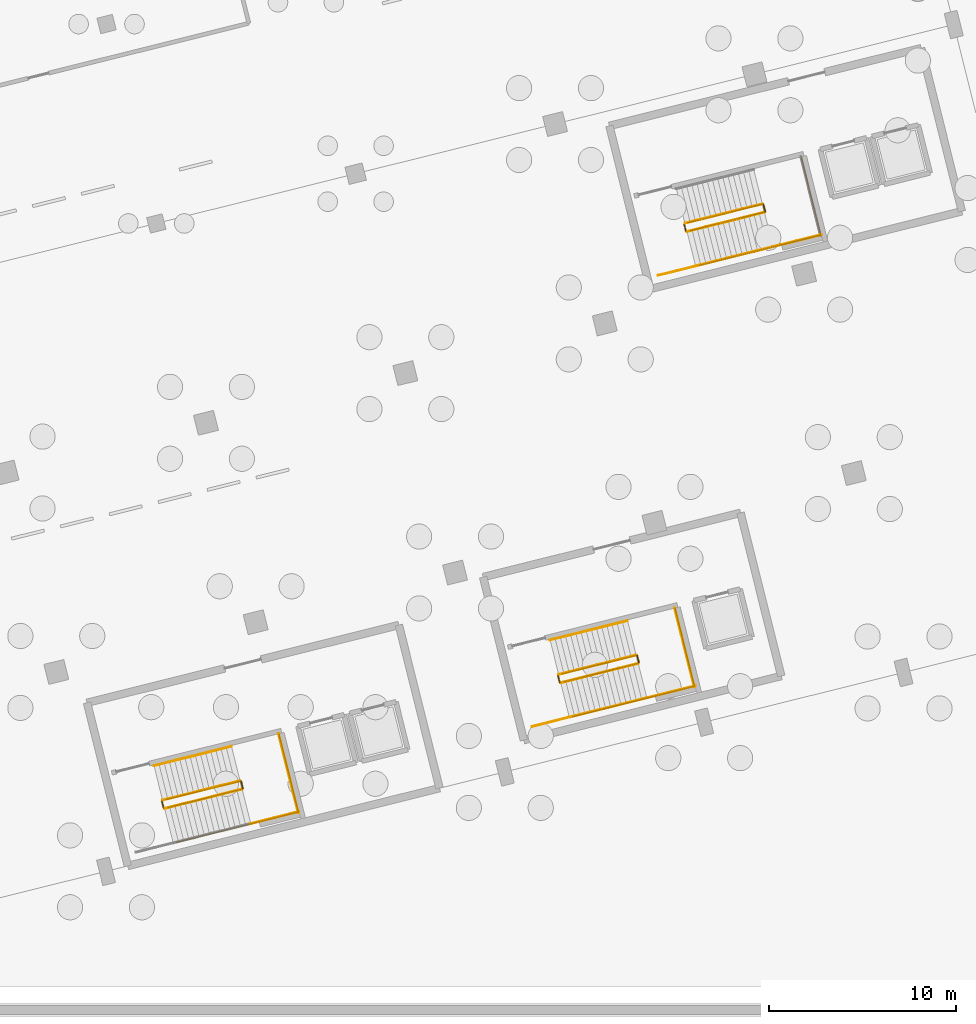
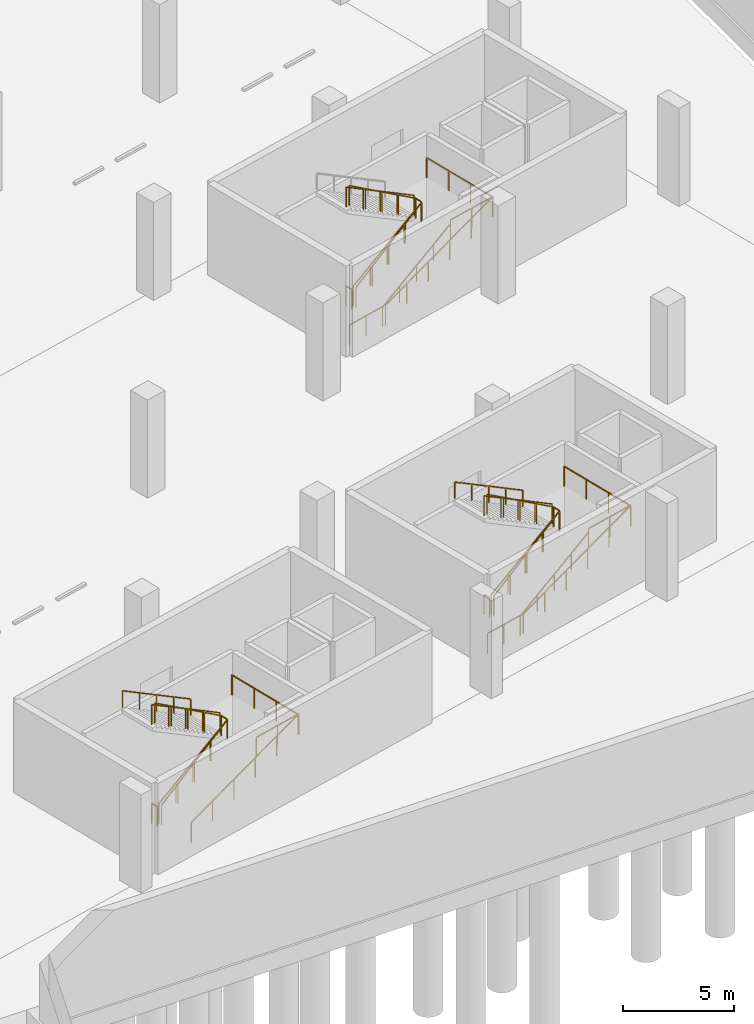
# One storey, part 63 of 65: 29 railings.
"""IFC4 building model written with IfcOpenShell, lengths in metres."""

from ifc_helpers import new_model, si_unit, direction, frame, origin, origin_2d, place, context, subcontext, project, spatial, rectangle, extrude, material, type_object, element, save


model = new_model("IFC4")

# Units and contexts
model_context = context("Model", 3, precision=1e-05, world=origin(), true_north=direction((0.0, 1.0)))
body_context = subcontext(model_context, "Body", "Model", "MODEL_VIEW")
ifc_project = project(units=[si_unit("LENGTHUNIT", "METRE"), si_unit("AREAUNIT", "SQUARE_METRE"), si_unit("VOLUMEUNIT", "CUBIC_METRE"), si_unit("PLANEANGLEUNIT", "RADIAN"), si_unit("MASSUNIT", "GRAM", prefix="KILO")], contexts=[model_context])

# Site, building, storey
site_placement = place(None, origin())
site = spatial("IfcSite", under=ifc_project, at=site_placement, CompositionType="ELEMENT")
building_placement = place(site_placement, origin())
building = spatial("IfcBuilding", under=site, at=building_placement, Name="Khorjan Park Terminus", CompositionType="ELEMENT")
storey_placement = place(building_placement, frame((0.0, 0.0, -5.4)))
storey = spatial("IfcBuildingStorey", under=building, at=storey_placement, Name="B1", CompositionType="ELEMENT", Elevation=-5.4)

# Railings
ifc_material = material(Name="Steel S355", Category="steel")
railing_type_1 = type_object("IfcRailingType", Name="GR-112", PredefinedType="GUARDRAIL", material=ifc_material)
railing_1_placement = place(storey_placement, frame((179.8138, 8.0206, 0.1687)))
element("IfcRailing", 1, at=railing_1_placement, inside=storey, type_object=railing_type_1, Name="B1 ST-03 stair guard 1", PredefinedType="GUARDRAIL", context=body_context, shape_type="SweptSolid", body=[
    extrude(rectangle(XDim=0.048, YDim=0.048, at=origin_2d()), frame((0.0, 0.0, 1.096), z_axis=(0.834907508819, 0.208183422462, 0.509498885505), x_axis=(-0.241941153167, 0.970290924622, 0.0)), (0.0, 0.0, 1.0), 4.9682),
    extrude(rectangle(XDim=0.042, YDim=0.042, at=origin_2d()), origin(), (0.0, 0.0, 1.0), 1.072),
    extrude(rectangle(XDim=0.042, YDim=0.042, at=origin_2d()), frame((1.037, 0.2586, 0.6328)), (0.0, 0.0, 1.0), 1.072),
    extrude(rectangle(XDim=0.042, YDim=0.042, at=origin_2d()), frame((2.074, 0.5171, 1.2656)), (0.0, 0.0, 1.0), 1.072),
    extrude(rectangle(XDim=0.042, YDim=0.042, at=origin_2d()), frame((3.111, 0.7757, 1.8985)), (0.0, 0.0, 1.0), 1.072),
    extrude(rectangle(XDim=0.042, YDim=0.042, at=origin_2d()), frame((4.148, 1.0343, 2.5313)), (0.0, 0.0, 1.0), 1.072),
])
railing_2_placement = place(storey_placement, frame((183.9982, 9.1155, 2.7)))
element("IfcRailing", 2, at=railing_2_placement, inside=storey, type_object=railing_type_1, Name="B1 ST-03 stair guard 2", PredefinedType="GUARDRAIL", context=body_context, shape_type="SweptSolid", body=[
    extrude(rectangle(XDim=0.048, YDim=0.048, at=origin_2d()), frame((0.0, 0.0, 1.096), z_axis=(-0.241947338122, 0.970289382388, 0.0), x_axis=(-0.970289382388, -0.241947338122, 0.0)), (0.0, 0.0, 1.0), 0.36),
    extrude(rectangle(XDim=0.042, YDim=0.042, at=origin_2d()), origin(), (0.0, 0.0, 1.0), 1.072),
    extrude(rectangle(XDim=0.042, YDim=0.042, at=origin_2d()), frame((-0.0871, 0.3493, 0.0)), (0.0, 0.0, 1.0), 1.072),
])
railing_3_placement = place(storey_placement, frame((184.4214, 7.2113, 2.7)))
element("IfcRailing", 3, at=railing_3_placement, inside=storey, type_object=railing_type_1, Name="B1 ST-03 stair guard 3", PredefinedType="GUARDRAIL", context=body_context, shape_type="SweptSolid", body=[
    extrude(rectangle(XDim=0.048, YDim=0.048, at=origin_2d()), frame((0.0, 0.0, 1.096), z_axis=(0.970299010002, 0.241908724911, 0.0), x_axis=(-0.241908724911, 0.970299010002, 0.0)), (0.0, 0.0, 1.0), 2.6651),
    extrude(rectangle(XDim=0.042, YDim=0.042, at=origin_2d()), origin(), (0.0, 0.0, 1.0), 1.072),
    extrude(rectangle(XDim=0.042, YDim=0.042, at=origin_2d()), frame((1.2929, 0.3224, 0.0)), (0.0, 0.0, 1.0), 1.072),
    extrude(rectangle(XDim=0.042, YDim=0.042, at=origin_2d()), frame((2.5859, 0.6447, 0.0)), (0.0, 0.0, 1.0), 1.072),
])
railing_4_placement = place(storey_placement, frame((186.9708, 7.7954, 2.7)))
element("IfcRailing", 4, at=railing_4_placement, inside=storey, type_object=railing_type_1, Name="B1 ST-03 stair guard 4", PredefinedType="GUARDRAIL", context=body_context, shape_type="SweptSolid", body=[
    extrude(rectangle(XDim=0.048, YDim=0.048, at=origin_2d()), frame((0.0, 0.0, 1.096), z_axis=(-0.241904163851, 0.970300147125, 0.0), x_axis=(-0.970300147125, -0.241904163851, 0.0)), (0.0, 0.0, 1.0), 4.36),
    extrude(rectangle(XDim=0.042, YDim=0.042, at=origin_2d()), origin(), (0.0, 0.0, 1.0), 1.072),
    extrude(rectangle(XDim=0.042, YDim=0.042, at=origin_2d()), frame((-0.3516, 1.4102, 0.0)), (0.0, 0.0, 1.0), 1.072),
    extrude(rectangle(XDim=0.042, YDim=0.042, at=origin_2d()), frame((-0.7031, 2.8203, 0.0)), (0.0, 0.0, 1.0), 1.072),
    extrude(rectangle(XDim=0.042, YDim=0.042, at=origin_2d()), frame((-1.0547, 4.2305, 0.0)), (0.0, 0.0, 1.0), 1.072),
])
railing_5_placement = place(storey_placement, frame((183.8505, 9.5012, 2.8688)))
element("IfcRailing", 5, at=railing_5_placement, inside=storey, type_object=railing_type_1, Name="B1 ST-03 stair guard 5", PredefinedType="GUARDRAIL", context=body_context, shape_type="SweptSolid", body=[
    extrude(rectangle(XDim=0.048, YDim=0.048, at=origin_2d()), frame((0.0, 0.0, 1.096), z_axis=(-0.834919569378, -0.208166301507, 0.509486117167), x_axis=(0.241919130453, -0.9702964157, 0.0)), (0.0, 0.0, 1.0), 4.9681),
    extrude(rectangle(XDim=0.042, YDim=0.042, at=origin_2d()), origin(), (0.0, 0.0, 1.0), 1.072),
    extrude(rectangle(XDim=0.042, YDim=0.042, at=origin_2d()), frame((-1.037, -0.2586, 0.6328)), (0.0, 0.0, 1.0), 1.072),
    extrude(rectangle(XDim=0.042, YDim=0.042, at=origin_2d()), frame((-2.074, -0.5171, 1.2656)), (0.0, 0.0, 1.0), 1.072),
    extrude(rectangle(XDim=0.042, YDim=0.042, at=origin_2d()), frame((-3.111, -0.7757, 1.8984)), (0.0, 0.0, 1.0), 1.072),
    extrude(rectangle(XDim=0.042, YDim=0.042, at=origin_2d()), frame((-4.148, -1.0342, 2.5312)), (0.0, 0.0, 1.0), 1.072),
])
railing_6_placement = place(storey_placement, frame((179.7532, 8.0571, 0.0)))
element("IfcRailing", 6, at=railing_6_placement, inside=storey, type_object=railing_type_1, Name="B1 ST-03 stair guard 6", PredefinedType="GUARDRAIL", context=body_context, shape_type="SweptSolid", body=[
    extrude(rectangle(XDim=0.048, YDim=0.048, at=origin_2d()), frame((0.0, 0.0, 1.096), z_axis=(-0.241947338122, 0.970289382388, 0.0), x_axis=(-0.970289382388, -0.241947338122, 0.0)), (0.0, 0.0, 1.0), 0.36),
    extrude(rectangle(XDim=0.042, YDim=0.042, at=origin_2d()), origin(), (0.0, 0.0, 1.0), 1.072),
    extrude(rectangle(XDim=0.042, YDim=0.042, at=origin_2d()), frame((-0.0871, 0.3493, 0.0)), (0.0, 0.0, 1.0), 1.072),
])
railing_7_placement = place(storey_placement, frame((179.986, 8.0739, 0.0)))
element("IfcRailing", 7, at=railing_7_placement, inside=storey, type_object=railing_type_1, Name="Core K3 stair well slot guard GR-112 (B1)", PredefinedType="GUARDRAIL", context=body_context, shape_type="SweptSolid", body=[
    extrude(rectangle(XDim=0.048, YDim=0.048, at=origin_2d()), frame((0.0, 0.0, 1.096), z_axis=(0.812440142396, 0.202553181406, 0.546729570926), x_axis=(-0.241909643258, 0.970298781046, 0.0)), (0.0, 0.0, 1.0), 4.9385),
    extrude(rectangle(XDim=0.048, YDim=0.048, at=origin_2d()), frame((4.0122, 1.0003, 3.796), z_axis=(-0.242000927221, 0.970276018061, 0.0), x_axis=(-0.970276018061, -0.242000927221, 0.0)), (0.0, 0.0, 1.0), 0.4401),
    extrude(rectangle(XDim=0.048, YDim=0.048, at=origin_2d()), frame((3.9057, 1.4273, 3.796), z_axis=(-0.812436809987, -0.202572599749, 0.54672732839), x_axis=(0.24193241153, -0.9702931043, 0.0)), (0.0, 0.0, 1.0), 4.9385),
    extrude(rectangle(XDim=0.042, YDim=0.042, at=origin_2d()), origin(), (0.0, 0.0, 1.0), 1.072),
    extrude(rectangle(XDim=0.042, YDim=0.042, at=origin_2d()), frame((1.0031, 0.2501, 0.675)), (0.0, 0.0, 1.0), 1.072),
    extrude(rectangle(XDim=0.042, YDim=0.042, at=origin_2d()), frame((2.0061, 0.5001, 1.35)), (0.0, 0.0, 1.0), 1.072),
    extrude(rectangle(XDim=0.042, YDim=0.042, at=origin_2d()), frame((3.0092, 0.7502, 2.025)), (0.0, 0.0, 1.0), 1.072),
    extrude(rectangle(XDim=0.042, YDim=0.042, at=origin_2d()), frame((4.0122, 1.0003, 2.7)), (0.0, 0.0, 1.0), 1.072),
    extrude(rectangle(XDim=0.042, YDim=0.042, at=origin_2d()), frame((3.9057, 1.4273, 2.7)), (0.0, 0.0, 1.0), 1.072),
    extrude(rectangle(XDim=0.042, YDim=0.042, at=origin_2d()), frame((2.9027, 1.1772, 3.375)), (0.0, 0.0, 1.0), 1.072),
    extrude(rectangle(XDim=0.042, YDim=0.042, at=origin_2d()), frame((1.8996, 0.9271, 4.05)), (0.0, 0.0, 1.0), 1.072),
    extrude(rectangle(XDim=0.042, YDim=0.042, at=origin_2d()), frame((0.8966, 0.677, 4.725)), (0.0, 0.0, 1.0), 1.072),
    extrude(rectangle(XDim=0.042, YDim=0.042, at=origin_2d()), frame((-0.1065, 0.4269, 5.4)), (0.0, 0.0, 1.0), 1.072),
])
railing_8_placement = place(storey_placement, frame((180.4505, 6.2109, 0.0)))
element("IfcRailing", 8, at=railing_8_placement, inside=storey, type_object=railing_type_1, Name="Core K3 stair side & landing guard GR-112 (B1)", PredefinedType="GUARDRAIL", context=body_context, shape_type="SweptSolid", body=[
    extrude(rectangle(XDim=0.048, YDim=0.048, at=origin_2d()), frame((0.0, 0.0, 1.096), z_axis=(0.900342256578, 0.224478008484, 0.372818246237), x_axis=(-0.241919330403, 0.970296365848, 0.0)), (0.0, 0.0, 1.0), 7.2421),
    extrude(rectangle(XDim=0.048, YDim=0.048, at=origin_2d()), frame((6.5204, 1.6257, 3.796), z_axis=(-0.2419363556, 0.970292120879, 0.0), x_axis=(-0.970292120879, -0.2419363556, 0.0)), (0.0, 0.0, 1.0), 4.2801),
    extrude(rectangle(XDim=0.042, YDim=0.042, at=origin_2d()), origin(), (0.0, 0.0, 1.0), 1.072),
    extrude(rectangle(XDim=0.042, YDim=0.042, at=origin_2d()), frame((1.3041, 0.3251, 0.54)), (0.0, 0.0, 1.0), 1.072),
    extrude(rectangle(XDim=0.042, YDim=0.042, at=origin_2d()), frame((2.6082, 0.6503, 1.08)), (0.0, 0.0, 1.0), 1.072),
    extrude(rectangle(XDim=0.042, YDim=0.042, at=origin_2d()), frame((3.9122, 0.9754, 1.62)), (0.0, 0.0, 1.0), 1.072),
    extrude(rectangle(XDim=0.042, YDim=0.042, at=origin_2d()), frame((5.2163, 1.3006, 2.16)), (0.0, 0.0, 1.0), 1.072),
    extrude(rectangle(XDim=0.042, YDim=0.042, at=origin_2d()), frame((6.5204, 1.6257, 2.7)), (0.0, 0.0, 1.0), 1.072),
    extrude(rectangle(XDim=0.042, YDim=0.042, at=origin_2d()), frame((6.1752, 3.01, 2.7)), (0.0, 0.0, 1.0), 1.072),
    extrude(rectangle(XDim=0.042, YDim=0.042, at=origin_2d()), frame((5.8301, 4.3943, 2.7)), (0.0, 0.0, 1.0), 1.072),
    extrude(rectangle(XDim=0.042, YDim=0.042, at=origin_2d()), frame((5.4849, 5.7786, 2.7)), (0.0, 0.0, 1.0), 1.072),
])
railing_9_placement = place(storey_placement, frame((207.7735, 38.902, 0.1687)))
element("IfcRailing", 9, at=railing_9_placement, inside=storey, type_object=railing_type_1, Name="B1 ST-04 stair guard 1", PredefinedType="GUARDRAIL", context=body_context, shape_type="SweptSolid", body=[
    extrude(rectangle(XDim=0.048, YDim=0.048, at=origin_2d()), frame((0.0, 0.0, 1.096), z_axis=(0.834907508819, 0.208183422462, 0.509498885505), x_axis=(-0.241941153167, 0.970290924622, 0.0)), (0.0, 0.0, 1.0), 4.9682),
    extrude(rectangle(XDim=0.042, YDim=0.042, at=origin_2d()), origin(), (0.0, 0.0, 1.0), 1.072),
    extrude(rectangle(XDim=0.042, YDim=0.042, at=origin_2d()), frame((1.037, 0.2586, 0.6328)), (0.0, 0.0, 1.0), 1.072),
    extrude(rectangle(XDim=0.042, YDim=0.042, at=origin_2d()), frame((2.074, 0.5172, 1.2656)), (0.0, 0.0, 1.0), 1.072),
    extrude(rectangle(XDim=0.042, YDim=0.042, at=origin_2d()), frame((3.111, 0.7757, 1.8985)), (0.0, 0.0, 1.0), 1.072),
    extrude(rectangle(XDim=0.042, YDim=0.042, at=origin_2d()), frame((4.148, 1.0343, 2.5313)), (0.0, 0.0, 1.0), 1.072),
])
railing_10_placement = place(storey_placement, frame((211.9579, 39.9969, 2.7)))
element("IfcRailing", 10, at=railing_10_placement, inside=storey, type_object=railing_type_1, Name="B1 ST-04 stair guard 2", PredefinedType="GUARDRAIL", context=body_context, shape_type="SweptSolid", body=[
    extrude(rectangle(XDim=0.048, YDim=0.048, at=origin_2d()), frame((0.0, 0.0, 1.096), z_axis=(-0.241947338122, 0.970289382388, 0.0), x_axis=(-0.970289382388, -0.241947338122, 0.0)), (0.0, 0.0, 1.0), 0.36),
    extrude(rectangle(XDim=0.042, YDim=0.042, at=origin_2d()), origin(), (0.0, 0.0, 1.0), 1.072),
    extrude(rectangle(XDim=0.042, YDim=0.042, at=origin_2d()), frame((-0.0871, 0.3493, 0.0)), (0.0, 0.0, 1.0), 1.072),
])
railing_11_placement = place(storey_placement, frame((212.3811, 38.0927, 2.7)))
element("IfcRailing", 11, at=railing_11_placement, inside=storey, type_object=railing_type_1, Name="B1 ST-04 stair guard 3", PredefinedType="GUARDRAIL", context=body_context, shape_type="SweptSolid", body=[
    extrude(rectangle(XDim=0.048, YDim=0.048, at=origin_2d()), frame((0.0, 0.0, 1.096), z_axis=(0.970299010002, 0.241908724911, 0.0), x_axis=(-0.241908724911, 0.970299010002, 0.0)), (0.0, 0.0, 1.0), 2.6651),
    extrude(rectangle(XDim=0.042, YDim=0.042, at=origin_2d()), origin(), (0.0, 0.0, 1.0), 1.072),
    extrude(rectangle(XDim=0.042, YDim=0.042, at=origin_2d()), frame((1.293, 0.3224, 0.0)), (0.0, 0.0, 1.0), 1.072),
    extrude(rectangle(XDim=0.042, YDim=0.042, at=origin_2d()), frame((2.5859, 0.6447, 0.0)), (0.0, 0.0, 1.0), 1.072),
])
railing_12_placement = place(storey_placement, frame((211.8102, 40.3826, 2.8688)))
element("IfcRailing", 12, at=railing_12_placement, inside=storey, type_object=railing_type_1, Name="B1 ST-04 stair guard 5", PredefinedType="GUARDRAIL", context=body_context, shape_type="SweptSolid", body=[
    extrude(rectangle(XDim=0.048, YDim=0.048, at=origin_2d()), frame((0.0, 0.0, 1.096), z_axis=(-0.834919569378, -0.208166301507, 0.509486117167), x_axis=(0.241919130453, -0.9702964157, 0.0)), (0.0, 0.0, 1.0), 4.9681),
    extrude(rectangle(XDim=0.042, YDim=0.042, at=origin_2d()), origin(), (0.0, 0.0, 1.0), 1.072),
    extrude(rectangle(XDim=0.042, YDim=0.042, at=origin_2d()), frame((-1.037, -0.2585, 0.6328)), (0.0, 0.0, 1.0), 1.072),
    extrude(rectangle(XDim=0.042, YDim=0.042, at=origin_2d()), frame((-2.074, -0.5171, 1.2656)), (0.0, 0.0, 1.0), 1.072),
    extrude(rectangle(XDim=0.042, YDim=0.042, at=origin_2d()), frame((-3.111, -0.7756, 1.8984)), (0.0, 0.0, 1.0), 1.072),
    extrude(rectangle(XDim=0.042, YDim=0.042, at=origin_2d()), frame((-4.148, -1.0342, 2.5312)), (0.0, 0.0, 1.0), 1.072),
])
railing_13_placement = place(storey_placement, frame((207.7129, 38.9385, 0.0)))
element("IfcRailing", 13, at=railing_13_placement, inside=storey, type_object=railing_type_1, Name="B1 ST-04 stair guard 6", PredefinedType="GUARDRAIL", context=body_context, shape_type="SweptSolid", body=[
    extrude(rectangle(XDim=0.048, YDim=0.048, at=origin_2d()), frame((0.0, 0.0, 1.096), z_axis=(-0.241947338122, 0.970289382388, 0.0), x_axis=(-0.970289382388, -0.241947338122, 0.0)), (0.0, 0.0, 1.0), 0.36),
    extrude(rectangle(XDim=0.042, YDim=0.042, at=origin_2d()), origin(), (0.0, 0.0, 1.0), 1.072),
    extrude(rectangle(XDim=0.042, YDim=0.042, at=origin_2d()), frame((-0.0871, 0.3493, 0.0)), (0.0, 0.0, 1.0), 1.072),
])
railing_14_placement = place(storey_placement, frame((206.2343, 36.5601, 0.0)))
element("IfcRailing", 14, at=railing_14_placement, inside=storey, type_object=railing_type_1, Name="B1 ST-04 stair guard 7", PredefinedType="GUARDRAIL", context=body_context, shape_type="SweptSolid", body=[
    extrude(rectangle(XDim=0.048, YDim=0.048, at=origin_2d()), frame((0.0, 0.0, 1.096), z_axis=(0.97029080484, 0.241941633546, 0.0), x_axis=(-0.241941633546, 0.97029080484, 0.0)), (0.0, 0.0, 1.0), 2.06),
    extrude(rectangle(XDim=0.042, YDim=0.042, at=origin_2d()), origin(), (0.0, 0.0, 1.0), 1.072),
    extrude(rectangle(XDim=0.042, YDim=0.042, at=origin_2d()), frame((0.9994, 0.2492, 0.0)), (0.0, 0.0, 1.0), 1.072),
    extrude(rectangle(XDim=0.042, YDim=0.042, at=origin_2d()), frame((1.9988, 0.4984, 0.0)), (0.0, 0.0, 1.0), 1.072),
])
railing_15_placement = place(storey_placement, frame((207.9457, 38.9553, 0.0)))
element("IfcRailing", 15, at=railing_15_placement, inside=storey, type_object=railing_type_1, Name="Core K4 stair well slot guard GR-112 (B1)", PredefinedType="GUARDRAIL", context=body_context, shape_type="SweptSolid", body=[
    extrude(rectangle(XDim=0.048, YDim=0.048, at=origin_2d()), frame((0.0, 0.0, 1.096), z_axis=(0.812440142396, 0.202553181406, 0.546729570926), x_axis=(-0.241909643258, 0.970298781046, 0.0)), (0.0, 0.0, 1.0), 4.9385),
    extrude(rectangle(XDim=0.048, YDim=0.048, at=origin_2d()), frame((4.0122, 1.0003, 3.796), z_axis=(-0.242000927221, 0.970276018061, 0.0), x_axis=(-0.970276018061, -0.242000927221, 0.0)), (0.0, 0.0, 1.0), 0.4401),
    extrude(rectangle(XDim=0.048, YDim=0.048, at=origin_2d()), frame((3.9057, 1.4273, 3.796), z_axis=(-0.812436809987, -0.202572599749, 0.54672732839), x_axis=(0.24193241153, -0.9702931043, 0.0)), (0.0, 0.0, 1.0), 4.9385),
    extrude(rectangle(XDim=0.042, YDim=0.042, at=origin_2d()), origin(), (0.0, 0.0, 1.0), 1.072),
    extrude(rectangle(XDim=0.042, YDim=0.042, at=origin_2d()), frame((1.0031, 0.2501, 0.675)), (0.0, 0.0, 1.0), 1.072),
    extrude(rectangle(XDim=0.042, YDim=0.042, at=origin_2d()), frame((2.0061, 0.5001, 1.35)), (0.0, 0.0, 1.0), 1.072),
    extrude(rectangle(XDim=0.042, YDim=0.042, at=origin_2d()), frame((3.0092, 0.7502, 2.025)), (0.0, 0.0, 1.0), 1.072),
    extrude(rectangle(XDim=0.042, YDim=0.042, at=origin_2d()), frame((4.0122, 1.0003, 2.7)), (0.0, 0.0, 1.0), 1.072),
    extrude(rectangle(XDim=0.042, YDim=0.042, at=origin_2d()), frame((3.9057, 1.4273, 2.7)), (0.0, 0.0, 1.0), 1.072),
    extrude(rectangle(XDim=0.042, YDim=0.042, at=origin_2d()), frame((2.9027, 1.1772, 3.375)), (0.0, 0.0, 1.0), 1.072),
    extrude(rectangle(XDim=0.042, YDim=0.042, at=origin_2d()), frame((1.8996, 0.9271, 4.05)), (0.0, 0.0, 1.0), 1.072),
    extrude(rectangle(XDim=0.042, YDim=0.042, at=origin_2d()), frame((0.8966, 0.677, 4.725)), (0.0, 0.0, 1.0), 1.072),
    extrude(rectangle(XDim=0.042, YDim=0.042, at=origin_2d()), frame((-0.1065, 0.4269, 5.4)), (0.0, 0.0, 1.0), 1.072),
])
railing_16_placement = place(storey_placement, frame((208.4102, 37.0923, 0.0)))
element("IfcRailing", 16, at=railing_16_placement, inside=storey, type_object=railing_type_1, Name="Core K4 stair side & landing guard GR-112 (B1)", PredefinedType="GUARDRAIL", context=body_context, shape_type="SweptSolid", body=[
    extrude(rectangle(XDim=0.048, YDim=0.048, at=origin_2d()), frame((0.0, 0.0, 1.096), z_axis=(0.900342256578, 0.224478008484, 0.372818246237), x_axis=(-0.241919330403, 0.970296365848, 0.0)), (0.0, 0.0, 1.0), 7.2421),
    extrude(rectangle(XDim=0.048, YDim=0.048, at=origin_2d()), frame((6.5204, 1.6257, 3.796), z_axis=(-0.2419363556, 0.970292120879, 0.0), x_axis=(-0.970292120879, -0.2419363556, 0.0)), (0.0, 0.0, 1.0), 4.2801),
    extrude(rectangle(XDim=0.042, YDim=0.042, at=origin_2d()), origin(), (0.0, 0.0, 1.0), 1.072),
    extrude(rectangle(XDim=0.042, YDim=0.042, at=origin_2d()), frame((1.3041, 0.3251, 0.54)), (0.0, 0.0, 1.0), 1.072),
    extrude(rectangle(XDim=0.042, YDim=0.042, at=origin_2d()), frame((2.6082, 0.6503, 1.08)), (0.0, 0.0, 1.0), 1.072),
    extrude(rectangle(XDim=0.042, YDim=0.042, at=origin_2d()), frame((3.9122, 0.9754, 1.62)), (0.0, 0.0, 1.0), 1.072),
    extrude(rectangle(XDim=0.042, YDim=0.042, at=origin_2d()), frame((5.2163, 1.3006, 2.16)), (0.0, 0.0, 1.0), 1.072),
    extrude(rectangle(XDim=0.042, YDim=0.042, at=origin_2d()), frame((6.5204, 1.6257, 2.7)), (0.0, 0.0, 1.0), 1.072),
    extrude(rectangle(XDim=0.042, YDim=0.042, at=origin_2d()), frame((6.1752, 3.01, 2.7)), (0.0, 0.0, 1.0), 1.072),
    extrude(rectangle(XDim=0.042, YDim=0.042, at=origin_2d()), frame((5.8301, 4.3943, 2.7)), (0.0, 0.0, 1.0), 1.072),
    extrude(rectangle(XDim=0.042, YDim=0.042, at=origin_2d()), frame((5.4849, 5.7786, 2.7)), (0.0, 0.0, 1.0), 1.072),
])
railing_17_placement = place(storey_placement, frame((201.0157, 14.7497, 0.1687)))
element("IfcRailing", 17, at=railing_17_placement, inside=storey, type_object=railing_type_1, Name="B1 ST-05 stair guard 1", PredefinedType="GUARDRAIL", context=body_context, shape_type="SweptSolid", body=[
    extrude(rectangle(XDim=0.048, YDim=0.048, at=origin_2d()), frame((0.0, 0.0, 1.096), z_axis=(0.834907508819, 0.208183422462, 0.509498885505), x_axis=(-0.241941153167, 0.970290924622, 0.0)), (0.0, 0.0, 1.0), 4.9682),
    extrude(rectangle(XDim=0.042, YDim=0.042, at=origin_2d()), origin(), (0.0, 0.0, 1.0), 1.072),
    extrude(rectangle(XDim=0.042, YDim=0.042, at=origin_2d()), frame((1.037, 0.2586, 0.6328)), (0.0, 0.0, 1.0), 1.072),
    extrude(rectangle(XDim=0.042, YDim=0.042, at=origin_2d()), frame((2.074, 0.5171, 1.2656)), (0.0, 0.0, 1.0), 1.072),
    extrude(rectangle(XDim=0.042, YDim=0.042, at=origin_2d()), frame((3.111, 0.7757, 1.8985)), (0.0, 0.0, 1.0), 1.072),
    extrude(rectangle(XDim=0.042, YDim=0.042, at=origin_2d()), frame((4.148, 1.0343, 2.5313)), (0.0, 0.0, 1.0), 1.072),
])
railing_18_placement = place(storey_placement, frame((205.2001, 15.8446, 2.7)))
element("IfcRailing", 18, at=railing_18_placement, inside=storey, type_object=railing_type_1, Name="B1 ST-05 stair guard 2", PredefinedType="GUARDRAIL", context=body_context, shape_type="SweptSolid", body=[
    extrude(rectangle(XDim=0.048, YDim=0.048, at=origin_2d()), frame((0.0, 0.0, 1.096), z_axis=(-0.241947338122, 0.970289382388, 0.0), x_axis=(-0.970289382388, -0.241947338122, 0.0)), (0.0, 0.0, 1.0), 0.36),
    extrude(rectangle(XDim=0.042, YDim=0.042, at=origin_2d()), origin(), (0.0, 0.0, 1.0), 1.072),
    extrude(rectangle(XDim=0.042, YDim=0.042, at=origin_2d()), frame((-0.0871, 0.3493, 0.0)), (0.0, 0.0, 1.0), 1.072),
])
railing_19_placement = place(storey_placement, frame((205.6233, 13.9404, 2.7)))
element("IfcRailing", 19, at=railing_19_placement, inside=storey, type_object=railing_type_1, Name="B1 ST-05 stair guard 3", PredefinedType="GUARDRAIL", context=body_context, shape_type="SweptSolid", body=[
    extrude(rectangle(XDim=0.048, YDim=0.048, at=origin_2d()), frame((0.0, 0.0, 1.096), z_axis=(0.970299010002, 0.241908724911, 0.0), x_axis=(-0.241908724911, 0.970299010002, 0.0)), (0.0, 0.0, 1.0), 2.6651),
    extrude(rectangle(XDim=0.042, YDim=0.042, at=origin_2d()), origin(), (0.0, 0.0, 1.0), 1.072),
    extrude(rectangle(XDim=0.042, YDim=0.042, at=origin_2d()), frame((1.293, 0.3224, 0.0)), (0.0, 0.0, 1.0), 1.072),
    extrude(rectangle(XDim=0.042, YDim=0.042, at=origin_2d()), frame((2.5859, 0.6447, 0.0)), (0.0, 0.0, 1.0), 1.072),
])
railing_20_placement = place(storey_placement, frame((208.1727, 14.5245, 2.7)))
element("IfcRailing", 20, at=railing_20_placement, inside=storey, type_object=railing_type_1, Name="B1 ST-05 stair guard 4", PredefinedType="GUARDRAIL", context=body_context, shape_type="SweptSolid", body=[
    extrude(rectangle(XDim=0.048, YDim=0.048, at=origin_2d()), frame((0.0, 0.0, 1.096), z_axis=(-0.241904163851, 0.970300147125, 0.0), x_axis=(-0.970300147125, -0.241904163851, 0.0)), (0.0, 0.0, 1.0), 4.36),
    extrude(rectangle(XDim=0.042, YDim=0.042, at=origin_2d()), origin(), (0.0, 0.0, 1.0), 1.072),
    extrude(rectangle(XDim=0.042, YDim=0.042, at=origin_2d()), frame((-0.3516, 1.4102, 0.0)), (0.0, 0.0, 1.0), 1.072),
    extrude(rectangle(XDim=0.042, YDim=0.042, at=origin_2d()), frame((-0.7031, 2.8203, 0.0)), (0.0, 0.0, 1.0), 1.072),
    extrude(rectangle(XDim=0.042, YDim=0.042, at=origin_2d()), frame((-1.0547, 4.2305, 0.0)), (0.0, 0.0, 1.0), 1.072),
])
railing_21_placement = place(storey_placement, frame((205.0524, 16.2303, 2.8688)))
element("IfcRailing", 21, at=railing_21_placement, inside=storey, type_object=railing_type_1, Name="B1 ST-05 stair guard 5", PredefinedType="GUARDRAIL", context=body_context, shape_type="SweptSolid", body=[
    extrude(rectangle(XDim=0.048, YDim=0.048, at=origin_2d()), frame((0.0, 0.0, 1.096), z_axis=(-0.834919569378, -0.208166301507, 0.509486117167), x_axis=(0.241919130453, -0.9702964157, 0.0)), (0.0, 0.0, 1.0), 4.9681),
    extrude(rectangle(XDim=0.042, YDim=0.042, at=origin_2d()), origin(), (0.0, 0.0, 1.0), 1.072),
    extrude(rectangle(XDim=0.042, YDim=0.042, at=origin_2d()), frame((-1.037, -0.2586, 0.6328)), (0.0, 0.0, 1.0), 1.072),
    extrude(rectangle(XDim=0.042, YDim=0.042, at=origin_2d()), frame((-2.074, -0.5171, 1.2656)), (0.0, 0.0, 1.0), 1.072),
    extrude(rectangle(XDim=0.042, YDim=0.042, at=origin_2d()), frame((-3.111, -0.7757, 1.8984)), (0.0, 0.0, 1.0), 1.072),
    extrude(rectangle(XDim=0.042, YDim=0.042, at=origin_2d()), frame((-4.148, -1.0342, 2.5312)), (0.0, 0.0, 1.0), 1.072),
])
railing_22_placement = place(storey_placement, frame((200.9551, 14.7862, 0.0)))
element("IfcRailing", 22, at=railing_22_placement, inside=storey, type_object=railing_type_1, Name="B1 ST-05 stair guard 6", PredefinedType="GUARDRAIL", context=body_context, shape_type="SweptSolid", body=[
    extrude(rectangle(XDim=0.048, YDim=0.048, at=origin_2d()), frame((0.0, 0.0, 1.096), z_axis=(-0.241947338122, 0.970289382388, 0.0), x_axis=(-0.970289382388, -0.241947338122, 0.0)), (0.0, 0.0, 1.0), 0.36),
    extrude(rectangle(XDim=0.042, YDim=0.042, at=origin_2d()), origin(), (0.0, 0.0, 1.0), 1.072),
    extrude(rectangle(XDim=0.042, YDim=0.042, at=origin_2d()), frame((-0.0871, 0.3493, 0.0)), (0.0, 0.0, 1.0), 1.072),
])
railing_23_placement = place(storey_placement, frame((199.4765, 12.4078, 0.0)))
element("IfcRailing", 23, at=railing_23_placement, inside=storey, type_object=railing_type_1, Name="B1 ST-05 stair guard 7", PredefinedType="GUARDRAIL", context=body_context, shape_type="SweptSolid", body=[
    extrude(rectangle(XDim=0.048, YDim=0.048, at=origin_2d()), frame((0.0, 0.0, 1.096), z_axis=(0.97029080484, 0.241941633546, 0.0), x_axis=(-0.241941633546, 0.97029080484, 0.0)), (0.0, 0.0, 1.0), 2.06),
    extrude(rectangle(XDim=0.042, YDim=0.042, at=origin_2d()), origin(), (0.0, 0.0, 1.0), 1.072),
    extrude(rectangle(XDim=0.042, YDim=0.042, at=origin_2d()), frame((0.9994, 0.2492, 0.0)), (0.0, 0.0, 1.0), 1.072),
    extrude(rectangle(XDim=0.042, YDim=0.042, at=origin_2d()), frame((1.9988, 0.4984, 0.0)), (0.0, 0.0, 1.0), 1.072),
])
railing_24_placement = place(storey_placement, frame((201.1879, 14.803, 0.0)))
element("IfcRailing", 24, at=railing_24_placement, inside=storey, type_object=railing_type_1, Name="Core K5 stair well slot guard GR-112 (B1)", PredefinedType="GUARDRAIL", context=body_context, shape_type="SweptSolid", body=[
    extrude(rectangle(XDim=0.048, YDim=0.048, at=origin_2d()), frame((0.0, 0.0, 1.096), z_axis=(0.812440142396, 0.202553181406, 0.546729570926), x_axis=(-0.241909643258, 0.970298781046, 0.0)), (0.0, 0.0, 1.0), 4.9385),
    extrude(rectangle(XDim=0.048, YDim=0.048, at=origin_2d()), frame((4.0122, 1.0003, 3.796), z_axis=(-0.242000927221, 0.970276018061, 0.0), x_axis=(-0.970276018061, -0.242000927221, 0.0)), (0.0, 0.0, 1.0), 0.4401),
    extrude(rectangle(XDim=0.048, YDim=0.048, at=origin_2d()), frame((3.9057, 1.4273, 3.796), z_axis=(-0.812436809987, -0.202572599749, 0.54672732839), x_axis=(0.24193241153, -0.9702931043, 0.0)), (0.0, 0.0, 1.0), 4.9385),
    extrude(rectangle(XDim=0.042, YDim=0.042, at=origin_2d()), origin(), (0.0, 0.0, 1.0), 1.072),
    extrude(rectangle(XDim=0.042, YDim=0.042, at=origin_2d()), frame((1.003, 0.2501, 0.675)), (0.0, 0.0, 1.0), 1.072),
    extrude(rectangle(XDim=0.042, YDim=0.042, at=origin_2d()), frame((2.0061, 0.5001, 1.35)), (0.0, 0.0, 1.0), 1.072),
    extrude(rectangle(XDim=0.042, YDim=0.042, at=origin_2d()), frame((3.0091, 0.7502, 2.025)), (0.0, 0.0, 1.0), 1.072),
    extrude(rectangle(XDim=0.042, YDim=0.042, at=origin_2d()), frame((4.0122, 1.0003, 2.7)), (0.0, 0.0, 1.0), 1.072),
    extrude(rectangle(XDim=0.042, YDim=0.042, at=origin_2d()), frame((3.9057, 1.4273, 2.7)), (0.0, 0.0, 1.0), 1.072),
    extrude(rectangle(XDim=0.042, YDim=0.042, at=origin_2d()), frame((2.9026, 1.1772, 3.375)), (0.0, 0.0, 1.0), 1.072),
    extrude(rectangle(XDim=0.042, YDim=0.042, at=origin_2d()), frame((1.8996, 0.9271, 4.05)), (0.0, 0.0, 1.0), 1.072),
    extrude(rectangle(XDim=0.042, YDim=0.042, at=origin_2d()), frame((0.8965, 0.677, 4.725)), (0.0, 0.0, 1.0), 1.072),
    extrude(rectangle(XDim=0.042, YDim=0.042, at=origin_2d()), frame((-0.1065, 0.4269, 5.4)), (0.0, 0.0, 1.0), 1.072),
])
railing_25_placement = place(storey_placement, frame((201.6524, 12.94, 0.0)))
element("IfcRailing", 25, at=railing_25_placement, inside=storey, type_object=railing_type_1, Name="Core K5 stair side & landing guard GR-112 (B1)", PredefinedType="GUARDRAIL", context=body_context, shape_type="SweptSolid", body=[
    extrude(rectangle(XDim=0.048, YDim=0.048, at=origin_2d()), frame((0.0, 0.0, 1.096), z_axis=(0.900342256578, 0.224478008484, 0.372818246237), x_axis=(-0.241919330403, 0.970296365848, 0.0)), (0.0, 0.0, 1.0), 7.2421),
    extrude(rectangle(XDim=0.048, YDim=0.048, at=origin_2d()), frame((6.5204, 1.6257, 3.796), z_axis=(-0.2419363556, 0.970292120879, 0.0), x_axis=(-0.970292120879, -0.2419363556, 0.0)), (0.0, 0.0, 1.0), 4.2801),
    extrude(rectangle(XDim=0.042, YDim=0.042, at=origin_2d()), origin(), (0.0, 0.0, 1.0), 1.072),
    extrude(rectangle(XDim=0.042, YDim=0.042, at=origin_2d()), frame((1.3041, 0.3251, 0.54)), (0.0, 0.0, 1.0), 1.072),
    extrude(rectangle(XDim=0.042, YDim=0.042, at=origin_2d()), frame((2.6082, 0.6503, 1.08)), (0.0, 0.0, 1.0), 1.072),
    extrude(rectangle(XDim=0.042, YDim=0.042, at=origin_2d()), frame((3.9122, 0.9754, 1.62)), (0.0, 0.0, 1.0), 1.072),
    extrude(rectangle(XDim=0.042, YDim=0.042, at=origin_2d()), frame((5.2163, 1.3006, 2.16)), (0.0, 0.0, 1.0), 1.072),
    extrude(rectangle(XDim=0.042, YDim=0.042, at=origin_2d()), frame((6.5204, 1.6257, 2.7)), (0.0, 0.0, 1.0), 1.072),
    extrude(rectangle(XDim=0.042, YDim=0.042, at=origin_2d()), frame((6.1752, 3.01, 2.7)), (0.0, 0.0, 1.0), 1.072),
    extrude(rectangle(XDim=0.042, YDim=0.042, at=origin_2d()), frame((5.8301, 4.3943, 2.7)), (0.0, 0.0, 1.0), 1.072),
    extrude(rectangle(XDim=0.042, YDim=0.042, at=origin_2d()), frame((5.4849, 5.7786, 2.7)), (0.0, 0.0, 1.0), 1.072),
])
railing_type_2 = type_object("IfcRailingType", Name="HR-92", PredefinedType="HANDRAIL", material=ifc_material)
railing_26_placement = place(storey_placement, frame((183.3908, 11.3447, 2.8688)))
element("IfcRailing", 26, at=railing_26_placement, inside=storey, type_object=railing_type_2, Name="B1 ST-03 stair handrail 2", PredefinedType="HANDRAIL", context=body_context, shape_type="SweptSolid", body=[
    extrude(rectangle(XDim=0.048, YDim=0.048, at=origin_2d()), frame((0.0, 0.0, 0.896), z_axis=(-0.834919569378, -0.208166301507, 0.509486117167), x_axis=(0.241919130453, -0.9702964157, 0.0)), (0.0, 0.0, 1.0), 4.9681),
    extrude(rectangle(XDim=0.042, YDim=0.042, at=origin_2d()), origin(), (0.0, 0.0, 1.0), 0.872),
    extrude(rectangle(XDim=0.042, YDim=0.042, at=origin_2d()), frame((-1.037, -0.2586, 0.6328)), (0.0, 0.0, 1.0), 0.872),
    extrude(rectangle(XDim=0.042, YDim=0.042, at=origin_2d()), frame((-2.074, -0.5171, 1.2656)), (0.0, 0.0, 1.0), 0.872),
    extrude(rectangle(XDim=0.042, YDim=0.042, at=origin_2d()), frame((-3.111, -0.7757, 1.8984)), (0.0, 0.0, 1.0), 0.872),
    extrude(rectangle(XDim=0.042, YDim=0.042, at=origin_2d()), frame((-4.148, -1.0342, 2.5312)), (0.0, 0.0, 1.0), 0.872),
])
railing_27_placement = place(storey_placement, frame((208.2331, 37.0585, 0.1687)))
element("IfcRailing", 27, at=railing_27_placement, inside=storey, type_object=railing_type_2, Name="B1 ST-04 stair handrail 1", PredefinedType="HANDRAIL", context=body_context, shape_type="SweptSolid", body=[
    extrude(rectangle(XDim=0.048, YDim=0.048, at=origin_2d()), frame((0.0, 0.0, 0.896), z_axis=(0.83491100719, 0.20816416674, 0.509501020371), x_axis=(-0.241919130453, 0.9702964157, 0.0)), (0.0, 0.0, 1.0), 4.9682),
    extrude(rectangle(XDim=0.042, YDim=0.042, at=origin_2d()), origin(), (0.0, 0.0, 1.0), 0.872),
    extrude(rectangle(XDim=0.042, YDim=0.042, at=origin_2d()), frame((1.037, 0.2585, 0.6328)), (0.0, 0.0, 1.0), 0.872),
    extrude(rectangle(XDim=0.042, YDim=0.042, at=origin_2d()), frame((2.074, 0.5171, 1.2656)), (0.0, 0.0, 1.0), 0.872),
    extrude(rectangle(XDim=0.042, YDim=0.042, at=origin_2d()), frame((3.111, 0.7756, 1.8985)), (0.0, 0.0, 1.0), 0.872),
    extrude(rectangle(XDim=0.042, YDim=0.042, at=origin_2d()), frame((4.148, 1.0342, 2.5313)), (0.0, 0.0, 1.0), 0.872),
])
railing_28_placement = place(storey_placement, frame((201.4753, 12.9062, 0.1687)))
element("IfcRailing", 28, at=railing_28_placement, inside=storey, type_object=railing_type_2, Name="B1 ST-05 stair handrail 1", PredefinedType="HANDRAIL", context=body_context, shape_type="SweptSolid", body=[
    extrude(rectangle(XDim=0.048, YDim=0.048, at=origin_2d()), frame((0.0, 0.0, 0.896), z_axis=(0.83491100719, 0.20816416674, 0.509501020371), x_axis=(-0.241919130453, 0.9702964157, 0.0)), (0.0, 0.0, 1.0), 4.9682),
    extrude(rectangle(XDim=0.042, YDim=0.042, at=origin_2d()), origin(), (0.0, 0.0, 1.0), 0.872),
    extrude(rectangle(XDim=0.042, YDim=0.042, at=origin_2d()), frame((1.037, 0.2586, 0.6328)), (0.0, 0.0, 1.0), 0.872),
    extrude(rectangle(XDim=0.042, YDim=0.042, at=origin_2d()), frame((2.074, 0.5171, 1.2656)), (0.0, 0.0, 1.0), 0.872),
    extrude(rectangle(XDim=0.042, YDim=0.042, at=origin_2d()), frame((3.111, 0.7757, 1.8985)), (0.0, 0.0, 1.0), 0.872),
    extrude(rectangle(XDim=0.042, YDim=0.042, at=origin_2d()), frame((4.148, 1.0342, 2.5313)), (0.0, 0.0, 1.0), 0.872),
])
railing_29_placement = place(storey_placement, frame((204.5927, 18.0739, 2.8688)))
element("IfcRailing", 29, at=railing_29_placement, inside=storey, type_object=railing_type_2, Name="B1 ST-05 stair handrail 2", PredefinedType="HANDRAIL", context=body_context, shape_type="SweptSolid", body=[
    extrude(rectangle(XDim=0.048, YDim=0.048, at=origin_2d()), frame((0.0, 0.0, 0.896), z_axis=(-0.8349160709, -0.208185557409, 0.509483982319), x_axis=(0.241941153167, -0.970290924622, 0.0)), (0.0, 0.0, 1.0), 4.9682),
    extrude(rectangle(XDim=0.042, YDim=0.042, at=origin_2d()), origin(), (0.0, 0.0, 1.0), 0.872),
    extrude(rectangle(XDim=0.042, YDim=0.042, at=origin_2d()), frame((-1.037, -0.2586, 0.6328)), (0.0, 0.0, 1.0), 0.872),
    extrude(rectangle(XDim=0.042, YDim=0.042, at=origin_2d()), frame((-2.074, -0.5171, 1.2656)), (0.0, 0.0, 1.0), 0.872),
    extrude(rectangle(XDim=0.042, YDim=0.042, at=origin_2d()), frame((-3.111, -0.7757, 1.8984)), (0.0, 0.0, 1.0), 0.872),
    extrude(rectangle(XDim=0.042, YDim=0.042, at=origin_2d()), frame((-4.148, -1.0343, 2.5312)), (0.0, 0.0, 1.0), 0.872),
])

save(model, "model.ifc")
